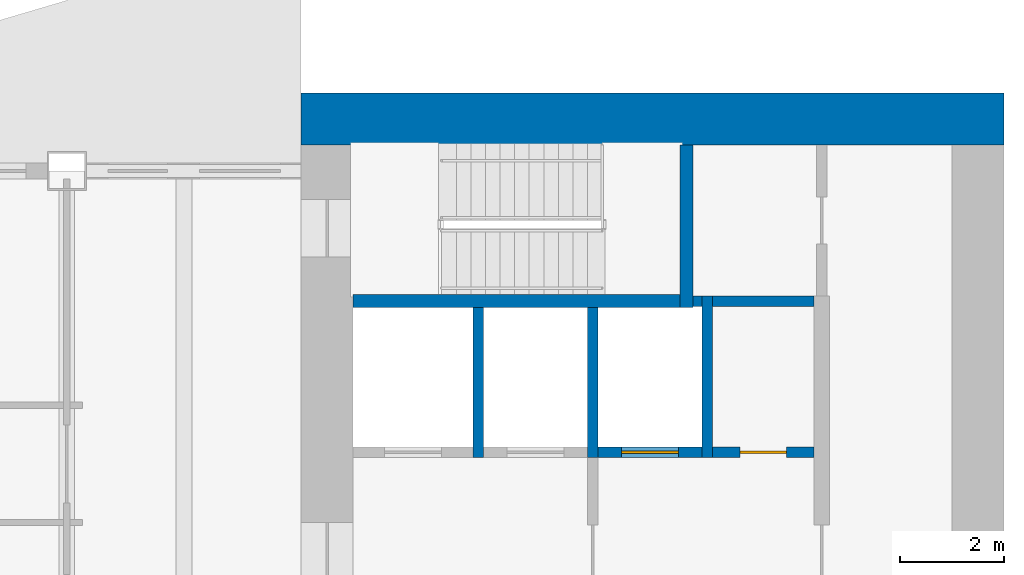
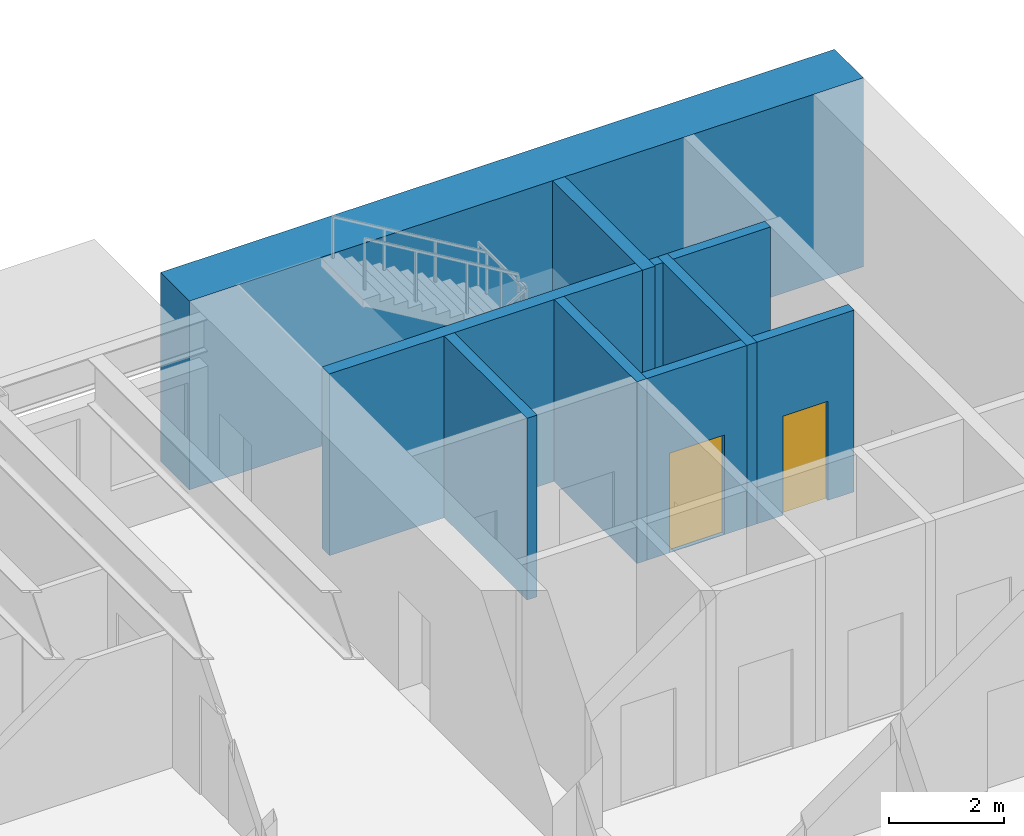
# One storey, part 8 of 17: 10 walls, 2 doors, 2 openings.
"""IFC4 building model written with IfcOpenShell, lengths in metres."""

from ifc_helpers import new_model, si_unit, direction, frame, frame_2d, origin, place, context, subcontext, project, spatial, rectangle, extrude, material, layer, layer_set, type_object, element, fill, save


model = new_model("IFC4")

# Units and contexts
model_context = context("Model", 3, precision=1e-05, world=origin(), true_north=direction((0.0, 1.0)))
body_context = subcontext(model_context, "Body", "Model", "MODEL_VIEW")
ifc_project = project(units=[si_unit("LENGTHUNIT", "METRE"), si_unit("AREAUNIT", "SQUARE_METRE"), si_unit("VOLUMEUNIT", "CUBIC_METRE"), si_unit("PLANEANGLEUNIT", "RADIAN"), si_unit("MASSUNIT", "GRAM", prefix="KILO")], contexts=[model_context])

# Site, building, storey
site_placement = place(None, origin())
site = spatial("IfcSite", under=ifc_project, at=site_placement, CompositionType="ELEMENT")
building_placement = place(site_placement, origin())
building = spatial("IfcBuilding", under=site, at=building_placement, Name="Sennacour Bend Tower", CompositionType="ELEMENT")
storey_placement = place(building_placement, frame((0.0, 0.0, 203.0)))
storey = spatial("IfcBuildingStorey", under=building, at=storey_placement, Name="L46", CompositionType="ELEMENT", Elevation=203.0)

# Wall
ifc_material_1 = material(Name="Concrete C60/75", Category="concrete")
ifc_layer_1 = layer(ifc_material_1, 1.0, Name="Concrete C60/75", Category="concrete")
ifc_layer_set_1 = layer_set([ifc_layer_1], Name="Concrete C60/75")
wall_type_1 = type_object("IfcWallType", Name="Core wall 1000 C60/75", PredefinedType="SHEAR", material=ifc_layer_set_1)
wall_1_placement = place(storey_placement, frame((54.0, 22.0, -0.14990234375), z_axis=(0.0, 0.0, 1.0), x_axis=(1.0, 0.0, 0.0)))
element("IfcWall", 1, at=wall_1_placement, inside=storey, type_object=wall_type_1, Name="Core A wall L46 N", PredefinedType="SHEAR", context=body_context, shape_type="SweptSolid", body=[
    extrude(rectangle(XDim=13.5, YDim=1.0, at=frame_2d((6.75, 0.0))), origin(), (0.0, 0.0, 1.0), 4.0),
])

# Wall, opening, door
ifc_material_2 = material(Name="Fire-rated plasterboard partition on steel studs", Category="steel")
ifc_layer_2 = layer(ifc_material_2, 0.199951171875, Name="Fire-rated plasterboard partition on steel studs", Category="steel")
ifc_layer_set_2 = layer_set([ifc_layer_2], Name="Fire-rated plasterboard partition on steel studs")
wall_type_2 = type_object("IfcWallType", Name="Rated partition 200", PredefinedType="PARTITIONING", material=ifc_layer_set_2)
wall_2_placement = place(storey_placement, frame((61.89990234375, 15.60009765625, 0.0), z_axis=(0.0, 0.0, 1.0), x_axis=(1.0, 0.0, 0.0)))
wall_2 = element("IfcWall", 2, at=wall_2_placement, inside=storey, type_object=wall_type_2, Name="P-L46-W075", PredefinedType="PARTITIONING", context=body_context, shape_type="SweptSolid", body=[
    extrude(rectangle(XDim=1.9501953125, YDim=0.199951171875, at=frame_2d((0.97509765625, 0.0))), origin(), (0.0, 0.0, 1.0), 3.85009765625),
])
opening_1_placement = place(wall_2_placement, frame((0.525146484375, 0.0, 0.0)))
opening_1 = element("IfcOpeningElement", 3, at=opening_1_placement, cuts=wall_2, Name="Opening SV", PredefinedType="OPENING", context=body_context, shape_type="SweptSolid", body=[
    extrude(rectangle(XDim=0.89990234375, YDim=2.10009765625, at=frame_2d((0.449951171875, 1.050048828125))), frame((0.0, 0.10986328125, 0.0), z_axis=(0.0, -1.0, 0.0), x_axis=(1.0, 0.0, 0.0)), (0.0, 0.0, 1.0), 0.219970703125),
])
ifc_material_3 = material(Name="Painted steel", Category="steel")
door_type_1 = type_object("IfcDoorType", Name="DR-SERVICE-900", OperationType="NOTDEFINED", PredefinedType="DOOR", material=ifc_material_3)
door_1_placement = place(opening_1_placement, origin())
door_1 = element("IfcDoor", 4, at=door_1_placement, inside=storey, type_object=door_type_1, Name="Door", OperationType="SINGLE_SWING_LEFT", OverallHeight=2.10009765625, OverallWidth=0.89990234375, PredefinedType="DOOR", context=body_context, shape_type="SweptSolid", body=[
    extrude(rectangle(XDim=0.89990234375, YDim=2.10009765625, at=frame_2d((0.449951171875, 1.050048828125))), frame((0.0, 0.02490234375, 0.0), z_axis=(0.0, -1.0, 0.0), x_axis=(1.0, 0.0, 0.0)), (0.0, 0.0, 1.0), 0.050048828125),
])
fill(opening_1, door_1)

# Walls
wall_3_placement = place(storey_placement, frame((61.89990234375, 18.5, 0.0), z_axis=(0.0, 0.0, 1.0), x_axis=(1.0, 0.0, 0.0)))
element("IfcWall", 5, at=wall_3_placement, inside=storey, type_object=wall_type_2, Name="P-L46-W080", PredefinedType="PARTITIONING", context=body_context, shape_type="SweptSolid", body=[
    extrude(rectangle(XDim=1.9501953125, YDim=0.199951171875, at=frame_2d((0.97509765625, 0.0))), origin(), (0.0, 0.0, 1.0), 3.85009765625),
])
ifc_material_4 = material(Name="Concrete C50/60", Category="concrete")
ifc_layer_3 = layer(ifc_material_4, 0.199951171875, Name="Concrete C50/60", Category="concrete")
ifc_layer_set_3 = layer_set([ifc_layer_3], Name="Concrete C50/60")
wall_type_3 = type_object("IfcWallType", Name="Shaft wall 200", PredefinedType="SOLIDWALL", material=ifc_layer_set_3)
for number, where, z_axis, x_axis, name in (
    (6, (57.39990234375, 15.5, 0.0), (0.0, 0.0, 1.0), (0.0, 1.0, 0.0), "P-L46-W043"),
    (7, (59.60009765625, 15.5, 0.0), (0.0, 0.0, 1.0), (0.0, 1.0, 0.0), "P-L46-W047"),
):
    element("IfcWall", number, at=place(storey_placement, frame(where, z_axis=z_axis, x_axis=x_axis)), inside=storey, type_object=wall_type_3, Name=name, PredefinedType="SOLIDWALL", context=body_context, shape_type="SweptSolid", body=[
        extrude(rectangle(XDim=2.875, YDim=0.199951171875, at=frame_2d((1.4375, 0.0))), origin(), (0.0, 0.0, 1.0), 3.85009765625),
    ])
wall_4_placement = place(storey_placement, frame((61.800048828125, 15.5, 0.0), z_axis=(0.0, 0.0, 1.0), x_axis=(0.0, 1.0, 0.0)))
element("IfcWall", 8, at=wall_4_placement, inside=storey, type_object=wall_type_3, Name="P-L46-W051", PredefinedType="SOLIDWALL", context=body_context, shape_type="SweptSolid", body=[
    extrude(rectangle(XDim=3.10009765625, YDim=0.199951171875, at=frame_2d((1.550048828125, 0.0))), origin(), (0.0, 0.0, 1.0), 3.85009765625),
])

# Wall, opening, door
wall_5_placement = place(storey_placement, frame((59.699951171875, 15.60009765625, 0.0), z_axis=(0.0, 0.0, 1.0), x_axis=(1.0, 0.0, 0.0)))
wall_5 = element("IfcWall", 9, at=wall_5_placement, inside=storey, type_object=wall_type_3, Name="P-L46-W074c", PredefinedType="SOLIDWALL", context=body_context, shape_type="SweptSolid", body=[
    extrude(rectangle(XDim=2.0, YDim=0.199951171875, at=frame_2d((1.0, 0.0))), origin(), (0.0, 0.0, 1.0), 3.85009765625),
])
opening_2_placement = place(wall_5_placement, frame((0.449951171875, 0.0, 0.011962890625)))
opening_2 = element("IfcOpeningElement", 10, at=opening_2_placement, cuts=wall_5, Name="Opening LD", PredefinedType="OPENING", context=body_context, shape_type="SweptSolid", body=[
    extrude(rectangle(XDim=1.10009765625, YDim=2.10009765625, at=frame_2d((0.550048828125, 1.050048828125))), frame((0.0, 0.10986328125, 0.0), z_axis=(0.0, -1.0, 0.0), x_axis=(1.0, 0.0, 0.0)), (0.0, 0.0, 1.0), 0.219970703125),
])
ifc_material_5 = material(Name="Stainless steel", Category="steel")
door_type_2 = type_object("IfcDoorType", Name="DR-LANDING-1100", OperationType="NOTDEFINED", PredefinedType="DOOR", material=ifc_material_5)
door_2_placement = place(opening_2_placement, origin())
door_2 = element("IfcDoor", 11, at=door_2_placement, inside=storey, type_object=door_type_2, Name="Lift landing door HA5", OperationType="SLIDING_TO_LEFT", OverallHeight=2.10009765625, OverallWidth=1.10009765625, PredefinedType="DOOR", context=body_context, shape_type="SweptSolid", body=[
    extrude(rectangle(XDim=1.10009765625, YDim=2.10009765625, at=frame_2d((0.550048828125, 1.050048828125))), frame((0.0, 0.02490234375, 0.0), z_axis=(0.0, -1.0, 0.0), x_axis=(1.0, 0.0, 0.0)), (0.0, 0.0, 1.0), 0.050048828125),
])
fill(opening_2, door_2)

# Walls
wall_6_placement = place(storey_placement, frame((61.52490234375, 18.5, 0.0), z_axis=(0.0, 0.0, 1.0), x_axis=(1.0, 0.0, 0.0)))
element("IfcWall", 12, at=wall_6_placement, inside=storey, type_object=wall_type_3, Name="P-L46-W079", PredefinedType="SOLIDWALL", context=body_context, shape_type="SweptSolid", body=[
    extrude(rectangle(XDim=0.175048828125, YDim=0.199951171875, at=frame_2d((0.08740234375, 0.0))), origin(), (0.0, 0.0, 1.0), 3.85009765625),
])
ifc_layer_4 = layer(ifc_material_1, 0.25, Name="Concrete C60/75", Category="concrete")
ifc_layer_set_4 = layer_set([ifc_layer_4], Name="Concrete C60/75")
wall_type_4 = type_object("IfcWallType", Name="Stair wall 250", PredefinedType="SHEAR", material=ifc_layer_set_4)
wall_7_placement = place(storey_placement, frame((61.39990234375, 18.375, 0.0), z_axis=(0.0, 0.0, 1.0), x_axis=(0.0, 1.0, 0.0)))
element("IfcWall", 13, at=wall_7_placement, inside=storey, type_object=wall_type_4, Name="P-L46-W049", PredefinedType="SHEAR", context=body_context, shape_type="SweptSolid", body=[
    extrude(rectangle(XDim=3.125, YDim=0.25, at=frame_2d((1.5625, 0.0))), origin(), (0.0, 0.0, 1.0), 3.85009765625),
])
wall_8_placement = place(storey_placement, frame((55.0, 18.5, 0.0), z_axis=(0.0, 0.0, 1.0), x_axis=(1.0, 0.0, 0.0)))
element("IfcWall", 14, at=wall_8_placement, inside=storey, type_object=wall_type_4, Name="P-L46-W078", PredefinedType="SHEAR", context=body_context, shape_type="SweptSolid", body=[
    extrude(rectangle(XDim=6.27490234375, YDim=0.25, at=frame_2d((3.137451171875, 0.0))), origin(), (0.0, 0.0, 1.0), 3.85009765625),
])

save(model, "model.ifc")
